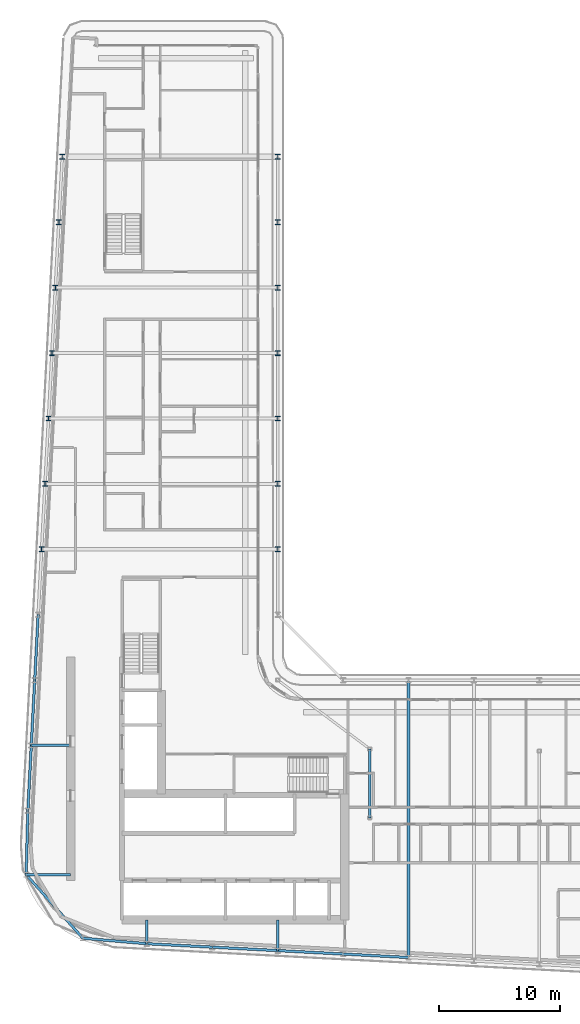
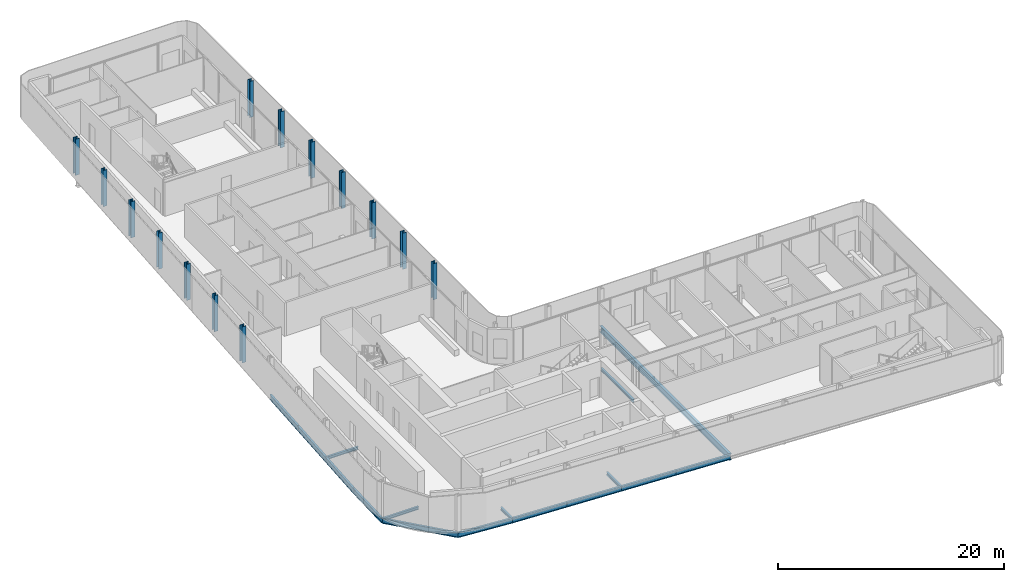
# One storey, part 3 of 22: 16 beams, 14 columns.
"""IFC4 building model written with IfcOpenShell, lengths in metres."""

from ifc_helpers import new_model, si_unit, direction, frame, origin, origin_2d, place, context, subcontext, project, spatial, i_section, extrude, material, material_profile, profile_set, type_object, element, save


model = new_model("IFC4")

# Units and contexts
model_context = context("Model", 3, precision=1e-05, world=origin(), true_north=direction((0.0, 1.0)))
body_context = subcontext(model_context, "Body", "Model", "MODEL_VIEW")
ifc_project = project(units=[si_unit("LENGTHUNIT", "METRE"), si_unit("AREAUNIT", "SQUARE_METRE"), si_unit("VOLUMEUNIT", "CUBIC_METRE"), si_unit("PLANEANGLEUNIT", "RADIAN"), si_unit("MASSUNIT", "GRAM", prefix="KILO")], contexts=[model_context])

# Site, building, storey
site_placement = place(None, origin())
site = spatial("IfcSite", under=ifc_project, at=site_placement, CompositionType="ELEMENT")
building_placement = place(site_placement, origin())
building = spatial("IfcBuilding", under=site, at=building_placement, Name="Kheshtan School and Residences Tower", CompositionType="ELEMENT")
storey_placement = place(building_placement, frame((0.0, 0.0, 263.0)))
storey = spatial("IfcBuildingStorey", under=building, at=storey_placement, Name="L62", CompositionType="ELEMENT", Elevation=263.0)

# Columns
ifc_material = material(Name="Steel ASTM A992 Grade 50", Category="steel")
ifc_material_profile_1 = material_profile(ifc_material, i_section(OverallWidth=0.404052734375, OverallDepth=0.406982421875, WebThickness=0.027099609375, FlangeThickness=0.043701171875, FilletRadius=0.01220703125, at=origin_2d()), Name="W360x347")
ifc_profile_set_1 = profile_set([ifc_material_profile_1], Name="Steel ASTM A992 Grade 50")
column_type = type_object("IfcColumnType", Name="Column C4 W360x347 ASTM A992 Grade 50", PredefinedType="COLUMN", material=ifc_profile_set_1)
for number, where, z_axis, x_axis, name in (
    (1, (28.10595703125, 56.39990234375, 0.0), (0.0, 0.0, 1.0), (1.0, 0.0, 0.0), "Column C080"),
    (2, (47.60009765625, 56.39990234375, 0.0), (0.0, 0.0, 1.0), (1.0, 0.0, 0.0), "Column C081"),
    (3, (28.389892578125, 61.800048828125, 0.0), (0.0, 0.0, 1.0), (1.0, 0.0, 0.0), "Column C082"),
    (4, (47.60009765625, 61.800048828125, 0.0), (0.0, 0.0, 1.0), (1.0, 0.0, 0.0), "Column C083"),
    (5, (28.674072265625, 67.199951171875, 0.0), (0.0, 0.0, 1.0), (1.0, 0.0, 0.0), "Column C084"),
    (6, (47.60009765625, 67.199951171875, 0.0), (0.0, 0.0, 1.0), (1.0, 0.0, 0.0), "Column C085"),
    (7, (28.9580078125, 72.60009765625, 0.0), (0.0, 0.0, 1.0), (1.0, 0.0, 0.0), "Column C086"),
    (8, (47.60009765625, 72.60009765625, 0.0), (0.0, 0.0, 1.0), (1.0, 0.0, 0.0), "Column C087"),
    (9, (29.242919921875, 78.0, 0.0), (0.0, 0.0, 1.0), (1.0, 0.0, 0.0), "Column C088"),
    (10, (47.60009765625, 78.0, 0.0), (0.0, 0.0, 1.0), (1.0, 0.0, 0.0), "Column C089"),
    (11, (29.527099609375, 83.39990234375, 0.0), (0.0, 0.0, 1.0), (1.0, 0.0, 0.0), "Column C090"),
    (12, (47.60009765625, 83.39990234375, 0.0), (0.0, 0.0, 1.0), (1.0, 0.0, 0.0), "Column C091"),
    (13, (29.81103515625, 88.800048828125, 0.0), (0.0, 0.0, 1.0), (1.0, 0.0, 0.0), "Column C098"),
    (14, (47.60009765625, 88.800048828125, 0.0), (0.0, 0.0, 1.0), (1.0, 0.0, 0.0), "Column C099"),
):
    element("IfcColumn", number, at=place(storey_placement, frame(where, z_axis=z_axis, x_axis=x_axis)), inside=storey, type_object=column_type, Name=name, PredefinedType="COLUMN", context=body_context, shape_type="SweptSolid", body=[
        extrude(i_section(OverallWidth=0.404052734375, OverallDepth=0.406982421875, WebThickness=0.027099609375, FlangeThickness=0.043701171875, FilletRadius=0.01220703125, at=origin_2d()), origin(), (0.0, 0.0, 1.0), 3.89990234375),
    ])

# Beams
ifc_material_profile_2 = material_profile(ifc_material, i_section(OverallWidth=0.202880859375, OverallDepth=0.302978515625, WebThickness=0.007568359375, FlangeThickness=0.01318359375, FilletRadius=0.009033203125, at=origin_2d()), Name="W310x60")
ifc_profile_set_2 = profile_set([ifc_material_profile_2], Name="Steel ASTM A992 Grade 50")
beam_type_1 = type_object("IfcBeamType", Name="Beam FB1 W310x60 ASTM A992 Grade 50", PredefinedType="BEAM", material=ifc_profile_set_2)
beam_1_placement = place(storey_placement, frame((47.60009765625, 23.263916015625, -0.301513671875), z_axis=(0.0, 1.0, 0.0), x_axis=(-1.0, 0.0, 0.0)))
element("IfcBeam", 15, at=beam_1_placement, inside=storey, type_object=beam_type_1, Name="Floor beam C020", PredefinedType="BEAM", context=body_context, shape_type="SweptSolid", body=[
    extrude(i_section(OverallWidth=0.202880859375, OverallDepth=0.302978515625, WebThickness=0.007568359375, FlangeThickness=0.01318359375, FilletRadius=0.009033203125, at=origin_2d()), origin(), (0.0, 0.0, 1.0), 2.5361328125),
])
beam_2_placement = place(storey_placement, frame((36.800048828125, 23.83203125, -0.301513671875), z_axis=(0.0, 1.0, 0.0), x_axis=(-1.0, 0.0, 0.0)))
element("IfcBeam", 16, at=beam_2_placement, inside=storey, type_object=beam_type_1, Name="Floor beam C022", PredefinedType="BEAM", context=body_context, shape_type="SweptSolid", body=[
    extrude(i_section(OverallWidth=0.202880859375, OverallDepth=0.302978515625, WebThickness=0.007568359375, FlangeThickness=0.01318359375, FilletRadius=0.009033203125, at=origin_2d()), origin(), (0.0, 0.0, 1.0), 1.968017578125),
])
beam_3_placement = place(storey_placement, frame((26.830078125, 29.5380859375, -0.301513671875), z_axis=(1.0, 0.0, 0.0), x_axis=(0.0, 1.0, 0.0)))
element("IfcBeam", 17, at=beam_3_placement, inside=storey, type_object=beam_type_1, Name="Floor beam C043", PredefinedType="BEAM", context=body_context, shape_type="SweptSolid", body=[
    extrude(i_section(OverallWidth=0.202880859375, OverallDepth=0.302978515625, WebThickness=0.007568359375, FlangeThickness=0.01318359375, FilletRadius=0.009033203125, at=origin_2d()), origin(), (0.0, 0.0, 1.0), 3.669921875),
])
beam_4_placement = place(storey_placement, frame((27.2529296875, 40.199951171875, -0.301513671875), z_axis=(1.0, 0.0, 0.0), x_axis=(0.0, 1.0, 0.0)))
element("IfcBeam", 18, at=beam_4_placement, inside=storey, type_object=beam_type_1, Name="Floor beam C056", PredefinedType="BEAM", context=body_context, shape_type="SweptSolid", body=[
    extrude(i_section(OverallWidth=0.202880859375, OverallDepth=0.302978515625, WebThickness=0.007568359375, FlangeThickness=0.01318359375, FilletRadius=0.009033203125, at=origin_2d()), origin(), (0.0, 0.0, 1.0), 3.2470703125),
])
beam_5_placement = place(storey_placement, frame((55.199951171875, 34.23193359375, -0.301513671875), z_axis=(0.0, 1.0, 0.0), x_axis=(-1.0, 0.0, 0.0)))
element("IfcBeam", 19, at=beam_5_placement, inside=storey, type_object=beam_type_1, Name="Floor beam IC", PredefinedType="BEAM", context=body_context, shape_type="SweptSolid", body=[
    extrude(i_section(OverallWidth=0.202880859375, OverallDepth=0.302978515625, WebThickness=0.007568359375, FlangeThickness=0.01318359375, FilletRadius=0.009033203125, at=origin_2d()), origin(), (0.0, 0.0, 1.0), 5.68408203125),
])
ifc_material_profile_3 = material_profile(ifc_material, i_section(OverallWidth=0.2529296875, OverallDepth=0.677978515625, WebThickness=0.01171875, FlangeThickness=0.016357421875, FilletRadius=0.0146484375, at=origin_2d()), Name="W690x125")
ifc_profile_set_3 = profile_set([ifc_material_profile_3], Name="Steel ASTM A992 Grade 50")
beam_type_2 = type_object("IfcBeamType", Name="Beam FB6 W690x125 ASTM A992 Grade 50", PredefinedType="BEAM", material=ifc_profile_set_3)
beam_6_placement = place(storey_placement, frame((58.39990234375, 22.695068359375, -0.489013671875), z_axis=(0.0, 1.0, 0.0), x_axis=(-1.0, 0.0, 0.0)))
element("IfcBeam", 20, at=beam_6_placement, inside=storey, type_object=beam_type_2, Name="Floor beam C018", PredefinedType="BEAM", context=body_context, shape_type="SweptSolid", body=[
    extrude(i_section(OverallWidth=0.2529296875, OverallDepth=0.677978515625, WebThickness=0.01171875, FlangeThickness=0.016357421875, FilletRadius=0.0146484375, at=origin_2d()), origin(), (0.0, 0.0, 1.0), 22.905029296875),
])
ifc_material_profile_4 = material_profile(ifc_material, i_section(OverallWidth=0.208984375, OverallDepth=0.532958984375, WebThickness=0.01025390625, FlangeThickness=0.015625, FilletRadius=0.013916015625, at=origin_2d()), Name="W530x92")
ifc_profile_set_4 = profile_set([ifc_material_profile_4], Name="Steel ASTM A992 Grade 50")
beam_type_3 = type_object("IfcBeamType", Name="Beam SP3 W530x92 ASTM A992 Grade 50", PredefinedType="BEAM", material=ifc_profile_set_4)
for number, where, z_axis, x_axis, name in (
    (21, (58.39990234375, 22.695068359375, -0.41650390625), (-0.998610961136, 0.052689166816, 0.0), (-0.052689166816, -0.998610961136, 0.0), "Spandrel beam C018-C019"),
    (22, (53.0, 22.97998046875, -0.41650390625), (-0.998620447272, 0.05250906864, 0.0), (-0.05250906864, -0.998620447272, 0.0), "Spandrel beam C019-C020"),
):
    element("IfcBeam", number, at=place(storey_placement, frame(where, z_axis=z_axis, x_axis=x_axis)), inside=storey, type_object=beam_type_3, Name=name, PredefinedType="BEAM", context=body_context, shape_type="SweptSolid", body=[
        extrude(i_section(OverallWidth=0.208984375, OverallDepth=0.532958984375, WebThickness=0.01025390625, FlangeThickness=0.015625, FilletRadius=0.013916015625, at=origin_2d()), origin(), (0.0, 0.0, 1.0), 5.407470703125),
    ])
beam_7_placement = place(storey_placement, frame((47.60009765625, 23.263916015625, -0.41650390625), z_axis=(-0.998618203458, 0.052551724256, 0.0), x_axis=(-0.052551724256, -0.998618203458, 0.0)))
element("IfcBeam", 23, at=beam_7_placement, inside=storey, type_object=beam_type_3, Name="Spandrel beam C020-C021", PredefinedType="BEAM", context=body_context, shape_type="SweptSolid", body=[
    extrude(i_section(OverallWidth=0.208984375, OverallDepth=0.532958984375, WebThickness=0.01025390625, FlangeThickness=0.015625, FilletRadius=0.013916015625, at=origin_2d()), origin(), (0.0, 0.0, 1.0), 5.40771484375),
])
beam_8_placement = place(storey_placement, frame((42.199951171875, 23.548095703125, -0.41650390625), z_axis=(-0.998620447272, 0.05250906864, 0.0), x_axis=(-0.05250906864, -0.998620447272, 0.0)))
element("IfcBeam", 24, at=beam_8_placement, inside=storey, type_object=beam_type_3, Name="Spandrel beam C021-C022", PredefinedType="BEAM", context=body_context, shape_type="SweptSolid", body=[
    extrude(i_section(OverallWidth=0.208984375, OverallDepth=0.532958984375, WebThickness=0.01025390625, FlangeThickness=0.015625, FilletRadius=0.013916015625, at=origin_2d()), origin(), (0.0, 0.0, 1.0), 5.407470703125),
])
beam_9_placement = place(storey_placement, frame((36.800048828125, 23.83203125, -0.41650390625), z_axis=(-0.996386672761, 0.084932904956, 0.0), x_axis=(-0.084932904956, -0.996386672761, 0.0)))
element("IfcBeam", 25, at=beam_9_placement, inside=storey, type_object=beam_type_3, Name="Spandrel beam C022-C030", PredefinedType="BEAM", context=body_context, shape_type="SweptSolid", body=[
    extrude(i_section(OverallWidth=0.208984375, OverallDepth=0.532958984375, WebThickness=0.01025390625, FlangeThickness=0.015625, FilletRadius=0.013916015625, at=origin_2d()), origin(), (0.0, 0.0, 1.0), 5.309326171875),
])
beam_10_placement = place(storey_placement, frame((31.510009765625, 24.282958984375, -0.41650390625), z_axis=(-0.66505480847, 0.746794551219, 0.0), x_axis=(-0.746794551219, -0.66505480847, 0.0)))
element("IfcBeam", 26, at=beam_10_placement, inside=storey, type_object=beam_type_3, Name="Spandrel beam C030-C043", PredefinedType="BEAM", context=body_context, shape_type="SweptSolid", body=[
    extrude(i_section(OverallWidth=0.208984375, OverallDepth=0.532958984375, WebThickness=0.01025390625, FlangeThickness=0.015625, FilletRadius=0.013916015625, at=origin_2d()), origin(), (0.0, 0.0, 1.0), 7.036865234375),
])
beam_11_placement = place(storey_placement, frame((26.830078125, 29.5380859375, -0.41650390625), z_axis=(0.026390842013, 0.999651701073, 0.0), x_axis=(-0.999651701073, 0.026390842013, 0.0)))
element("IfcBeam", 27, at=beam_11_placement, inside=storey, type_object=beam_type_3, Name="Spandrel beam C043-C052", PredefinedType="BEAM", context=body_context, shape_type="SweptSolid", body=[
    extrude(i_section(OverallWidth=0.208984375, OverallDepth=0.532958984375, WebThickness=0.01025390625, FlangeThickness=0.015625, FilletRadius=0.013916015625, at=origin_2d()), origin(), (0.0, 0.0, 1.0), 5.263916015625),
])
beam_12_placement = place(storey_placement, frame((26.968994140625, 34.800048828125, -0.41650390625), z_axis=(0.05250906864, 0.998620447272, 0.0), x_axis=(-0.998620447272, 0.05250906864, 0.0)))
element("IfcBeam", 28, at=beam_12_placement, inside=storey, type_object=beam_type_3, Name="Spandrel beam C052-C056", PredefinedType="BEAM", context=body_context, shape_type="SweptSolid", body=[
    extrude(i_section(OverallWidth=0.208984375, OverallDepth=0.532958984375, WebThickness=0.01025390625, FlangeThickness=0.015625, FilletRadius=0.013916015625, at=origin_2d()), origin(), (0.0, 0.0, 1.0), 5.407470703125),
])
beam_13_placement = place(storey_placement, frame((27.2529296875, 40.199951171875, -0.41650390625), z_axis=(0.052551724256, 0.998618203458, 0.0), x_axis=(-0.998618203458, 0.052551724256, 0.0)))
element("IfcBeam", 29, at=beam_13_placement, inside=storey, type_object=beam_type_3, Name="Spandrel beam C056-C059", PredefinedType="BEAM", context=body_context, shape_type="SweptSolid", body=[
    extrude(i_section(OverallWidth=0.208984375, OverallDepth=0.532958984375, WebThickness=0.01025390625, FlangeThickness=0.015625, FilletRadius=0.013916015625, at=origin_2d()), origin(), (0.0, 0.0, 1.0), 5.40771484375),
])
beam_14_placement = place(storey_placement, frame((27.537109375, 45.60009765625, -0.41650390625), z_axis=(0.052689166816, 0.998610961136, 0.0), x_axis=(-0.998610961136, 0.052689166816, 0.0)))
element("IfcBeam", 30, at=beam_14_placement, inside=storey, type_object=beam_type_3, Name="Spandrel beam C059-C078", PredefinedType="BEAM", context=body_context, shape_type="SweptSolid", body=[
    extrude(i_section(OverallWidth=0.208984375, OverallDepth=0.532958984375, WebThickness=0.01025390625, FlangeThickness=0.015625, FilletRadius=0.013916015625, at=origin_2d()), origin(), (0.0, 0.0, 1.0), 5.407470703125),
])

save(model, "model.ifc")
